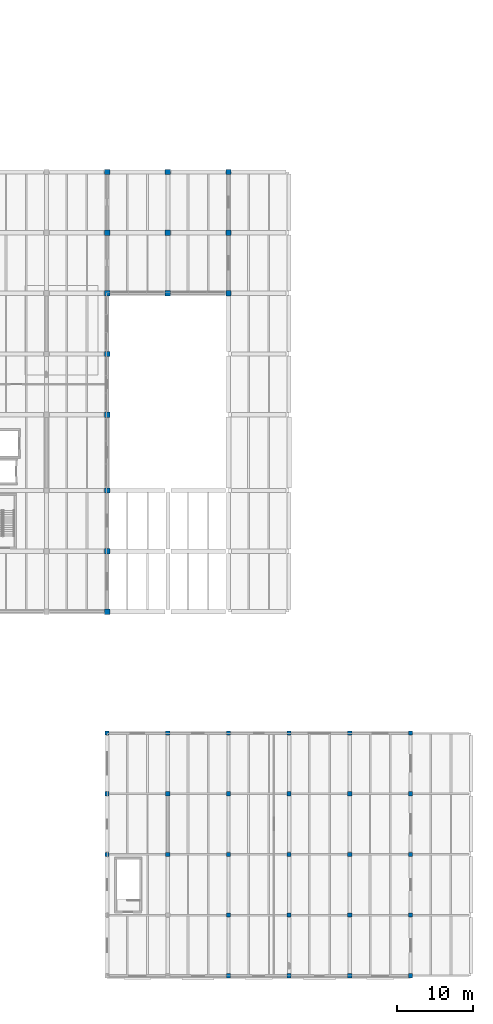
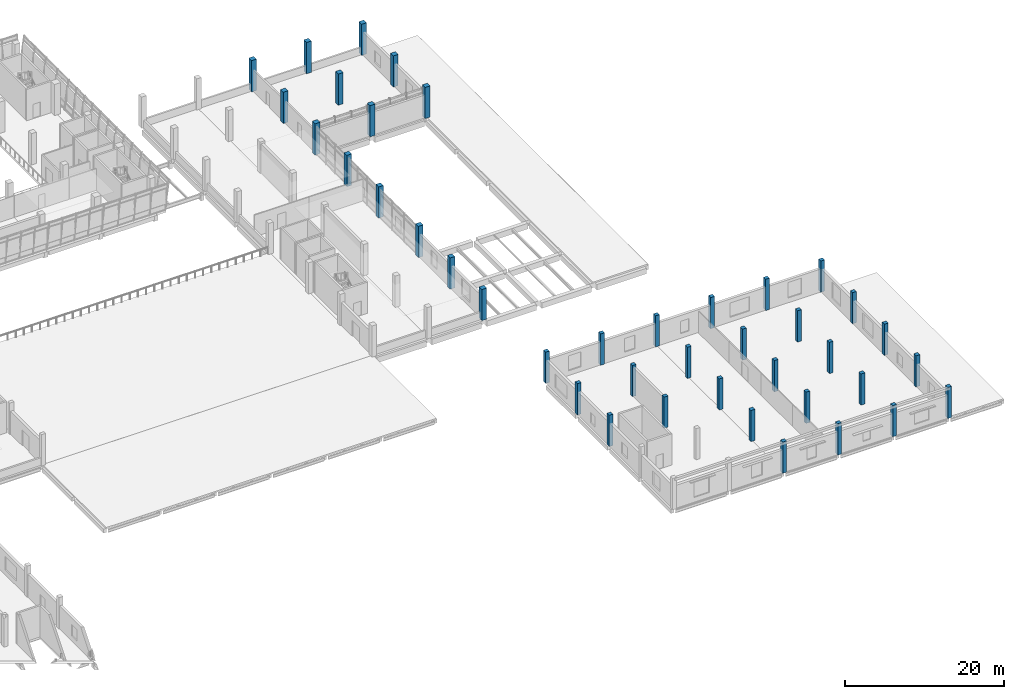
# One storey, part 2 of 52: 40 columns.
"""IFC4 building model written with IfcOpenShell, lengths in metres."""

from ifc_helpers import new_model, si_unit, direction, frame, origin, origin_2d, place, context, subcontext, project, spatial, rectangle, extrude, material, material_profile, profile_set, type_object, element, save


model = new_model("IFC4")

# Units and contexts
model_context = context("Model", 3, precision=1e-05, world=origin(), true_north=direction((0.0, 1.0)))
body_context = subcontext(model_context, "Body", "Model", "MODEL_VIEW")
ifc_project = project(units=[si_unit("LENGTHUNIT", "METRE"), si_unit("AREAUNIT", "SQUARE_METRE"), si_unit("VOLUMEUNIT", "CUBIC_METRE"), si_unit("PLANEANGLEUNIT", "RADIAN"), si_unit("MASSUNIT", "GRAM", prefix="KILO")], contexts=[model_context])

# Site, building, storey
site_placement = place(None, origin())
site = spatial("IfcSite", under=ifc_project, at=site_placement, CompositionType="ELEMENT")
building_placement = place(site_placement, origin())
building = spatial("IfcBuilding", under=site, at=building_placement, Name="Pecanmere Concourse Central Library", CompositionType="ELEMENT")
storey_placement = place(building_placement, frame((0.0, 0.0, 10.5)))
storey = spatial("IfcBuildingStorey", under=building, at=storey_placement, Name="L03", CompositionType="ELEMENT", Elevation=10.5)

# Columns
ifc_material_1 = material(Name="Concrete C40/50", Category="concrete")
ifc_material_profile_1 = material_profile(ifc_material_1, rectangle(XDim=0.550048828125, YDim=0.550048828125, at=origin_2d()), Name="RC 550x550")
ifc_profile_set_1 = profile_set([ifc_material_profile_1], Name="Concrete C40/50")
column_type_1 = type_object("IfcColumnType", Name="COL_RC_550x550", PredefinedType="COLUMN", material=ifc_profile_set_1)
for number, where, z_axis, x_axis, name in (
    (1, (128.0, 16.0, 0.0), (0.0, 0.0, 1.0), (1.0, 0.0, 0.0), "Column C-09 L03-105"),
    (2, (128.0, 24.0, 0.0), (0.0, 0.0, 1.0), (1.0, 0.0, 0.0), "Column C-09 L03-106"),
    (3, (128.0, 32.0, 0.0), (0.0, 0.0, 1.0), (1.0, 0.0, 0.0), "Column C-09 L03-107"),
    (4, (136.0, 16.0, 0.0), (0.0, 0.0, 1.0), (1.0, 0.0, 0.0), "Column C-09 L03-118"),
    (5, (136.0, 24.0, 0.0), (0.0, 0.0, 1.0), (1.0, 0.0, 0.0), "Column C-09 L03-119"),
    (6, (136.0, 32.0, 0.0), (0.0, 0.0, 1.0), (1.0, 0.0, 0.0), "Column C-09 L03-120"),
    (7, (144.0, 0.0, 0.0), (0.0, 0.0, 1.0), (1.0, 0.0, 0.0), "Column C-09 L03-124"),
    (8, (144.0, 8.0, 0.0), (0.0, 0.0, 1.0), (1.0, 0.0, 0.0), "Column C-09 L03-125"),
    (9, (144.0, 16.0, 0.0), (0.0, 0.0, 1.0), (1.0, 0.0, 0.0), "Column C-09 L03-126"),
    (10, (144.0, 24.0, 0.0), (0.0, 0.0, 1.0), (1.0, 0.0, 0.0), "Column C-09 L03-127"),
    (11, (144.0, 32.0, 0.0), (0.0, 0.0, 1.0), (1.0, 0.0, 0.0), "Column C-09 L03-128"),
    (12, (152.0, 0.0, 0.0), (0.0, 0.0, 1.0), (1.0, 0.0, 0.0), "Column C-09 L03-132"),
    (13, (152.0, 8.0, 0.0), (0.0, 0.0, 1.0), (1.0, 0.0, 0.0), "Column C-09 L03-133"),
    (14, (152.0, 16.0, 0.0), (0.0, 0.0, 1.0), (1.0, 0.0, 0.0), "Column C-09 L03-134"),
    (15, (152.0, 24.0, 0.0), (0.0, 0.0, 1.0), (1.0, 0.0, 0.0), "Column C-09 L03-135"),
    (16, (152.0, 32.0, 0.0), (0.0, 0.0, 1.0), (1.0, 0.0, 0.0), "Column C-09 L03-136"),
    (17, (160.0, 0.0, 0.0), (0.0, 0.0, 1.0), (1.0, 0.0, 0.0), "Column C-09 L03-137"),
    (18, (160.0, 8.0, 0.0), (0.0, 0.0, 1.0), (1.0, 0.0, 0.0), "Column C-09 L03-138"),
    (19, (160.0, 16.0, 0.0), (0.0, 0.0, 1.0), (1.0, 0.0, 0.0), "Column C-09 L03-139"),
    (20, (160.0, 24.0, 0.0), (0.0, 0.0, 1.0), (1.0, 0.0, 0.0), "Column C-09 L03-140"),
    (21, (160.0, 32.0, 0.0), (0.0, 0.0, 1.0), (1.0, 0.0, 0.0), "Column C-09 L03-141"),
    (22, (168.0, 0.0, 0.0), (0.0, 0.0, 1.0), (1.0, 0.0, 0.0), "Column C-09 L03-142"),
    (23, (168.0, 8.0, 0.0), (0.0, 0.0, 1.0), (1.0, 0.0, 0.0), "Column C-09 L03-143"),
    (24, (168.0, 16.0, 0.0), (0.0, 0.0, 1.0), (1.0, 0.0, 0.0), "Column C-09 L03-144"),
    (25, (168.0, 24.0, 0.0), (0.0, 0.0, 1.0), (1.0, 0.0, 0.0), "Column C-09 L03-145"),
    (26, (168.0, 32.0, 0.0), (0.0, 0.0, 1.0), (1.0, 0.0, 0.0), "Column C-09 L03-146"),
):
    element("IfcColumn", number, at=place(storey_placement, frame(where, z_axis=z_axis, x_axis=x_axis)), inside=storey, type_object=column_type_1, Name=name, PredefinedType="COLUMN", context=body_context, shape_type="SweptSolid", body=[
        extrude(rectangle(XDim=0.550048828125, YDim=0.550048828125, at=origin_2d()), origin(), (0.0, 0.0, 1.0), 4.800048828125),
    ])
ifc_material_2 = material(Name="Concrete C40/50", Category="concrete")
ifc_material_profile_2 = material_profile(ifc_material_2, rectangle(XDim=0.699951171875, YDim=0.699951171875, at=origin_2d()), Name="RC 700x700")
ifc_profile_set_2 = profile_set([ifc_material_profile_2], Name="Concrete C40/50")
column_type_2 = type_object("IfcColumnType", Name="COL_RC_700x700", PredefinedType="COLUMN", material=ifc_profile_set_2)
for number, where, z_axis, x_axis, name in (
    (27, (128.0, 48.0, 0.0), (0.0, 0.0, 1.0), (1.0, 0.0, 0.0), "Column C-06 L03-108"),
    (28, (128.0, 56.0, 0.0), (0.0, 0.0, 1.0), (1.0, 0.0, 0.0), "Column C-06 L03-109"),
    (29, (128.0, 64.0, 0.0), (0.0, 0.0, 1.0), (1.0, 0.0, 0.0), "Column C-06 L03-110"),
    (30, (128.0, 74.0, 0.0), (0.0, 0.0, 1.0), (1.0, 0.0, 0.0), "Column C-06 L03-111"),
    (31, (128.0, 82.0, 0.0), (0.0, 0.0, 1.0), (1.0, 0.0, 0.0), "Column C-06 L03-112"),
    (32, (128.0, 90.0, 0.0), (0.0, 0.0, 1.0), (1.0, 0.0, 0.0), "Column C-06 L03-113"),
    (33, (128.0, 98.0, 0.0), (0.0, 0.0, 1.0), (1.0, 0.0, 0.0), "Column C-06 L03-114"),
    (34, (128.0, 106.0, 0.0), (0.0, 0.0, 1.0), (1.0, 0.0, 0.0), "Column C-06 L03-115"),
    (35, (136.0, 90.0, 0.0), (0.0, 0.0, 1.0), (1.0, 0.0, 0.0), "Column C-06 L03-121"),
    (36, (136.0, 98.0, 0.0), (0.0, 0.0, 1.0), (1.0, 0.0, 0.0), "Column C-06 L03-122"),
    (37, (136.0, 106.0, 0.0), (0.0, 0.0, 1.0), (1.0, 0.0, 0.0), "Column C-06 L03-123"),
    (38, (144.0, 90.0, 0.0), (0.0, 0.0, 1.0), (1.0, 0.0, 0.0), "Column C-06 L03-129"),
    (39, (144.0, 98.0, 0.0), (0.0, 0.0, 1.0), (1.0, 0.0, 0.0), "Column C-06 L03-130"),
    (40, (144.0, 106.0, 0.0), (0.0, 0.0, 1.0), (1.0, 0.0, 0.0), "Column C-06 L03-131"),
):
    element("IfcColumn", number, at=place(storey_placement, frame(where, z_axis=z_axis, x_axis=x_axis)), inside=storey, type_object=column_type_2, Name=name, PredefinedType="COLUMN", context=body_context, shape_type="SweptSolid", body=[
        extrude(rectangle(XDim=0.699951171875, YDim=0.699951171875, at=origin_2d()), origin(), (0.0, 0.0, 1.0), 4.800048828125),
    ])

save(model, "model.ifc")
